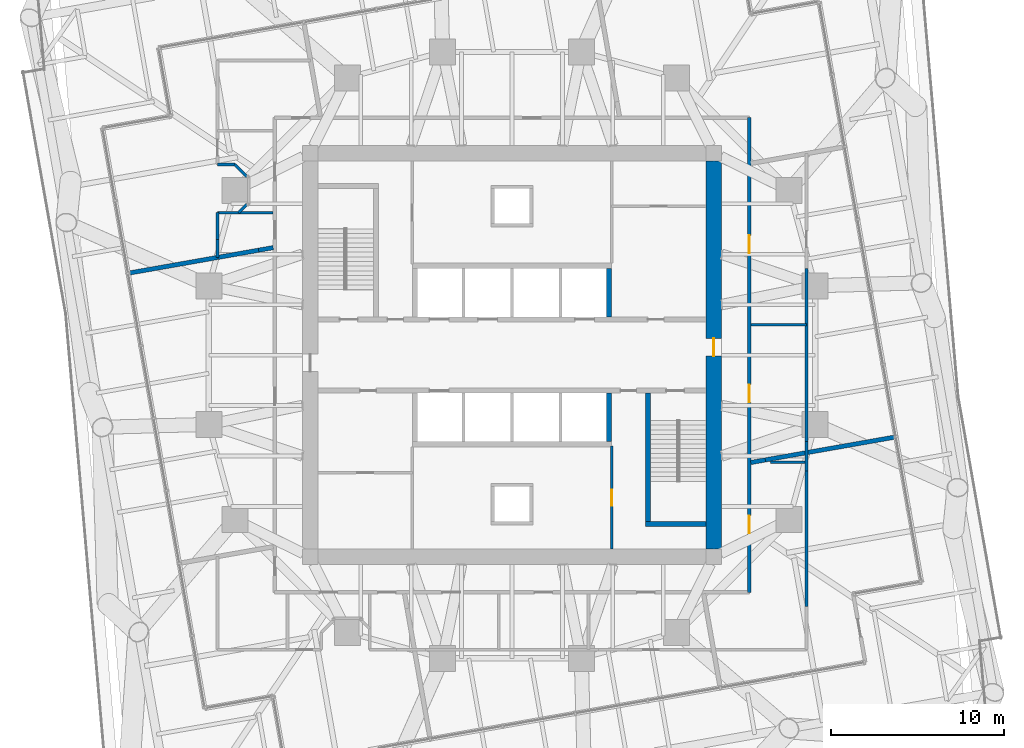
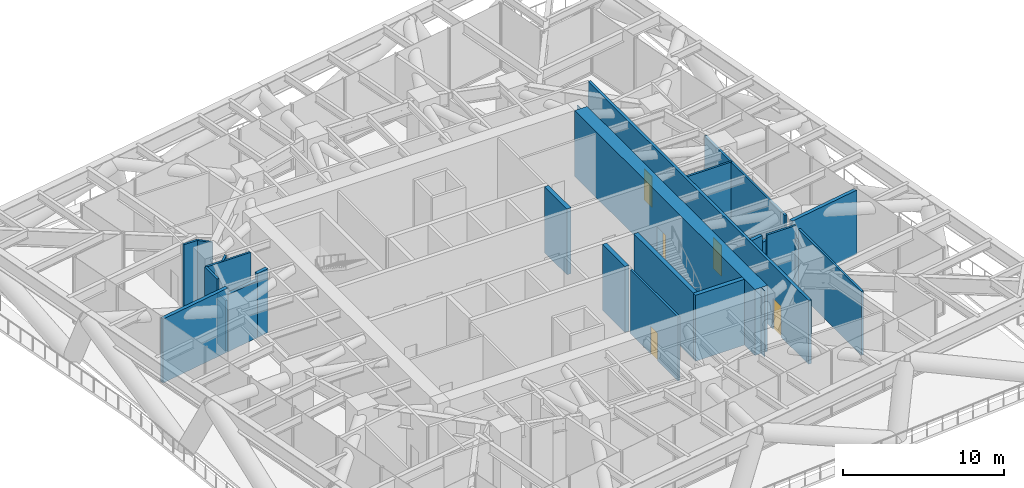
# One storey, part 11 of 15: 24 walls, 5 doors, 5 openings.
"""IFC4 building model written with IfcOpenShell, lengths in metres."""

from ifc_helpers import new_model, si_unit, direction, frame, frame_2d, origin, place, context, subcontext, project, spatial, polyline, rectangle, outline, extrude, material, layer, layer_set, type_object, element, fill, save


model = new_model("IFC4")

# Units and contexts
model_context = context("Model", 3, precision=1e-05, world=origin(), true_north=direction((0.0, 1.0)))
body_context = subcontext(model_context, "Body", "Model", "MODEL_VIEW")
ifc_project = project(units=[si_unit("LENGTHUNIT", "METRE"), si_unit("AREAUNIT", "SQUARE_METRE"), si_unit("VOLUMEUNIT", "CUBIC_METRE"), si_unit("PLANEANGLEUNIT", "RADIAN"), si_unit("MASSUNIT", "GRAM", prefix="KILO")], contexts=[model_context])

# Site, building, storey
site_placement = place(None, origin())
site = spatial("IfcSite", under=ifc_project, at=site_placement, CompositionType="ELEMENT")
building_placement = place(site_placement, origin())
building = spatial("IfcBuilding", under=site, at=building_placement, Name="Torsade Residences", CompositionType="ELEMENT")
storey_placement = place(building_placement, frame((0.0, 0.0, 74.39990234375)))
storey = spatial("IfcBuildingStorey", under=building, at=storey_placement, Name="L20", CompositionType="ELEMENT", Elevation=74.39990234375)

# Walls
ifc_material_1 = material(Name="Concrete 80 MPa", Category="concrete")
ifc_layer_1 = layer(ifc_material_1, 0.300048828125)
ifc_layer_set_1 = layer_set([ifc_layer_1], Name="Concrete 80 MPa")
wall_type_1 = type_object("IfcWallType", Name="CORE INTERNAL WALL 300", PredefinedType="SHEAR", material=ifc_layer_set_1)
for number, where, z_axis, x_axis, name in (
    (1, (45.60009765625, 27.800048828125, 0.0), (0.0, 0.0, 1.0), (0.0, -1.0, 0.0), "Core wall DS0 L20"),
    (2, (45.60009765625, 32.199951171875, 0.0), (0.0, 0.0, 1.0), (0.0, 1.0, 0.0), "Core wall DN4 L20"),
):
    element("IfcWall", number, at=place(storey_placement, frame(where, z_axis=z_axis, x_axis=x_axis)), inside=storey, type_object=wall_type_1, Name=name, PredefinedType="SHEAR", context=body_context, shape_type="SweptSolid", body=[
        extrude(rectangle(XDim=2.800048828125, YDim=0.300048828125, at=frame_2d((1.39990234375, 0.0))), origin(), (0.0, 0.0, 1.0), 5.0),
    ])
wall_1_placement = place(storey_placement, frame((47.85009765625, 27.800048828125, 0.0), z_axis=(0.0, 0.0, 1.0), x_axis=(0.0, -1.0, 0.0)))
element("IfcWall", 3, at=wall_1_placement, inside=storey, type_object=wall_type_1, Name="Core wall ST2W L20", PredefinedType="SHEAR", context=body_context, shape_type="SweptSolid", body=[
    extrude(rectangle(XDim=7.699951171875, YDim=0.300048828125, at=frame_2d((3.85009765625, 0.0))), origin(), (0.0, 0.0, 1.0), 5.0),
])
wall_2_placement = place(storey_placement, frame((51.199951171875, 20.25, 0.0), z_axis=(0.0, 0.0, 1.0), x_axis=(-1.0, 0.0, 0.0)))
element("IfcWall", 4, at=wall_2_placement, inside=storey, type_object=wall_type_1, Name="Core wall ST2S L20", PredefinedType="SHEAR", context=body_context, shape_type="SweptSolid", body=[
    extrude(rectangle(XDim=3.5, YDim=0.300048828125, at=frame_2d((1.75, 0.0))), origin(), (0.0, 0.0, 1.0), 5.0),
])

# Wall, opening, door
ifc_material_2 = material(Name="Concrete 80 MPa", Category="concrete")
ifc_layer_2 = layer(ifc_material_2, 0.89990234375)
ifc_layer_set_2 = layer_set([ifc_layer_2], Name="Concrete 80 MPa")
wall_type_2 = type_object("IfcWallType", Name="CORE WALL 900", PredefinedType="SHEAR", material=ifc_layer_set_2)
wall_3_placement = place(storey_placement, frame((51.64990234375, 18.800048828125, 0.0), z_axis=(0.0, 0.0, 1.0), x_axis=(0.0, 1.0, 0.0)))
wall_3 = element("IfcWall", 5, at=wall_3_placement, inside=storey, type_object=wall_type_2, Name="Core wall E L20", PredefinedType="SHEAR", context=body_context, shape_type="SweptSolid", body=[
    extrude(outline(polyline([(0.0, -0.449951171875), (22.39990234375, -0.449951171875), (22.39990234375, -0.02490234375), (22.849853515625, -0.02490234375), (22.849853515625, 0.02490234375), (22.39990234375, 0.02490234375), (22.39990234375, 0.449951171875), (0.0, 0.449951171875), (0.0, 0.02490234375), (-0.449951171875, 0.02490234375), (-0.449951171875, -0.02490234375), (0.0, -0.02490234375), (0.0, -0.449951171875)])), origin(), (0.0, 0.0, 1.0), 5.0),
])
opening_1_placement = place(wall_3_placement, frame((11.139892578125, 0.0, 0.0)))
opening_1 = element("IfcOpeningElement", 6, at=opening_1_placement, cuts=wall_3, Name="Opening D04", PredefinedType="OPENING", context=body_context, shape_type="SweptSolid", body=[
    extrude(rectangle(XDim=1.02001953125, YDim=2.39990234375, at=frame_2d((0.510009765625, 1.199951171875))), frame((0.0, 0.4599609375, 0.0), z_axis=(0.0, -1.0, 0.0), x_axis=(1.0, 0.0, 0.0)), (0.0, 0.0, 1.0), 0.919921875),
])
ifc_material_3 = material(Name="Steel-framed fire door", Category="steel")
door_type_1 = type_object("IfcDoorType", Name="LOBBY SMOKE DOOR 1020x2400", OperationType="NOTDEFINED", PredefinedType="DOOR", material=ifc_material_3)
door_1_placement = place(opening_1_placement, origin())
door_1 = element("IfcDoor", 7, at=door_1_placement, inside=storey, type_object=door_type_1, Name="Lift lobby door E L20", OperationType="SINGLE_SWING_LEFT", OverallHeight=2.39990234375, OverallWidth=1.02001953125, PredefinedType="DOOR", context=body_context, shape_type="SweptSolid", body=[
    extrude(rectangle(XDim=1.02001953125, YDim=2.39990234375, at=frame_2d((0.510009765625, 1.199951171875))), frame((0.0, 0.02490234375, 0.0), z_axis=(0.0, -1.0, 0.0), x_axis=(1.0, 0.0, 0.0)), (0.0, 0.0, 1.0), 0.050048828125),
])
fill(opening_1, door_1)

# Wall, openings, doors
ifc_material_4 = material(Name="Plasterboard on steel stud", Category="steel")
ifc_layer_3 = layer(ifc_material_4, 0.199951171875)
ifc_layer_set_3 = layer_set([ifc_layer_3], Name="Plasterboard on steel stud")
wall_type_3 = type_object("IfcWallType", Name="CORRIDOR WALL 200", PredefinedType="PARTITIONING", material=ifc_layer_set_3)
wall_4_placement = place(storey_placement, frame((53.699951171875, 16.300048828125, 0.0), z_axis=(0.0, 0.0, 1.0), x_axis=(0.0, 1.0, 0.0)))
wall_4 = element("IfcWall", 8, at=wall_4_placement, inside=storey, type_object=wall_type_3, Name="Corridor wall L20", PredefinedType="PARTITIONING", context=body_context, shape_type="SweptSolid", body=[
    extrude(rectangle(XDim=27.39990234375, YDim=0.199951171875, at=frame_2d((13.699951171875, 0.0))), origin(), (0.0, 0.0, 1.0), 4.85009765625),
])
opening_2_placement = place(wall_4_placement, frame((19.5869140625, 0.0, 0.0)))
opening_2 = element("IfcOpeningElement", 9, at=opening_2_placement, cuts=wall_4, Name="Opening D01", PredefinedType="OPENING", context=body_context, shape_type="SweptSolid", body=[
    extrude(rectangle(XDim=1.02001953125, YDim=2.340087890625, at=frame_2d((0.510009765625, 1.169921875))), frame((0.0, 0.10986328125, 0.0), z_axis=(0.0, -1.0, 0.0), x_axis=(1.0, 0.0, 0.0)), (0.0, 0.0, 1.0), 0.219970703125),
])
opening_3_placement = place(wall_4_placement, frame((10.972900390625, 0.0, 0.0)))
opening_3 = element("IfcOpeningElement", 10, at=opening_3_placement, cuts=wall_4, Name="Opening D01", PredefinedType="OPENING", context=body_context, shape_type="SweptSolid", body=[
    extrude(rectangle(XDim=1.02001953125, YDim=2.340087890625, at=frame_2d((0.510009765625, 1.169921875))), frame((0.0, 0.10986328125, 0.0), z_axis=(0.0, -1.0, 0.0), x_axis=(1.0, 0.0, 0.0)), (0.0, 0.0, 1.0), 0.219970703125),
])
opening_4_placement = place(wall_4_placement, frame((3.417236328125, 0.0, 0.0)))
opening_4 = element("IfcOpeningElement", 11, at=opening_4_placement, cuts=wall_4, Name="Opening D01", PredefinedType="OPENING", context=body_context, shape_type="SweptSolid", body=[
    extrude(rectangle(XDim=1.02001953125, YDim=2.340087890625, at=frame_2d((0.510009765625, 1.169921875))), frame((0.0, 0.10986328125, 0.0), z_axis=(0.0, -1.0, 0.0), x_axis=(1.0, 0.0, 0.0)), (0.0, 0.0, 1.0), 0.219970703125),
])
ifc_material_5 = material(Name="Solid-core timber fire door", Category="wood")
door_type_2 = type_object("IfcDoorType", Name="APARTMENT ENTRY DOOR 1020x2340", OperationType="NOTDEFINED", PredefinedType="DOOR", material=ifc_material_5)
door_2_placement = place(opening_2_placement, origin())
door_2 = element("IfcDoor", 12, at=door_2_placement, inside=storey, type_object=door_type_2, Name="Door Plant corridor to Plant cupboard", OperationType="SINGLE_SWING_LEFT", OverallHeight=2.340087890625, OverallWidth=1.02001953125, PredefinedType="DOOR", context=body_context, shape_type="SweptSolid", body=[
    extrude(rectangle(XDim=1.02001953125, YDim=2.340087890625, at=frame_2d((0.510009765625, 1.169921875))), frame((0.0, 0.02490234375, 0.0), z_axis=(0.0, -1.0, 0.0), x_axis=(1.0, 0.0, 0.0)), (0.0, 0.0, 1.0), 0.050048828125),
])
fill(opening_2, door_2)
door_3_placement = place(opening_3_placement, origin())
door_3 = element("IfcDoor", 13, at=door_3_placement, inside=storey, type_object=door_type_2, Name="Door Plant corridor to Store", OperationType="SINGLE_SWING_RIGHT", OverallHeight=2.340087890625, OverallWidth=1.02001953125, PredefinedType="DOOR", context=body_context, shape_type="SweptSolid", body=[
    extrude(rectangle(XDim=1.02001953125, YDim=2.340087890625, at=frame_2d((0.510009765625, 1.169921875))), frame((0.0, 0.02490234375, 0.0), z_axis=(0.0, -1.0, 0.0), x_axis=(1.0, 0.0, 0.0)), (0.0, 0.0, 1.0), 0.050048828125),
])
fill(opening_3, door_3)
door_4_placement = place(opening_4_placement, origin())
door_4 = element("IfcDoor", 14, at=door_4_placement, inside=storey, type_object=door_type_2, Name="Door Plant corridor to Service lobby", OperationType="SINGLE_SWING_LEFT", OverallHeight=2.340087890625, OverallWidth=1.02001953125, PredefinedType="DOOR", context=body_context, shape_type="SweptSolid", body=[
    extrude(rectangle(XDim=1.02001953125, YDim=2.340087890625, at=frame_2d((0.510009765625, 1.169921875))), frame((0.0, 0.02490234375, 0.0), z_axis=(0.0, -1.0, 0.0), x_axis=(1.0, 0.0, 0.0)), (0.0, 0.0, 1.0), 0.050048828125),
])
fill(opening_4, door_4)

# Walls
ifc_material_6 = material(Name="Masonry-lined stud party wall", Category="masonry")
ifc_layer_4 = layer(ifc_material_6, 0.25)
ifc_layer_set_4 = layer_set([ifc_layer_4], Name="Masonry-lined stud party wall")
wall_type_4 = type_object("IfcWallType", Name="PARTY WALL 250", PredefinedType="PARTITIONING", material=ifc_layer_set_4)
wall_5_placement = place(storey_placement, frame((62.156982421875, 25.275634765625, 0.0), z_axis=(0.0, 0.0, 1.0), x_axis=(-0.984813509266, -0.173615529166, 0.0)))
element("IfcWall", 15, at=wall_5_placement, inside=storey, type_object=wall_type_4, Name="Party wall L20", PredefinedType="PARTITIONING", context=body_context, shape_type="SweptSolid", body=[
    extrude(rectangle(XDim=5.24951171875, YDim=0.25, at=frame_2d((2.624755859375, 0.0))), origin(), (0.0, 0.0, 1.0), 4.85009765625),
])
wall_6_placement = place(storey_placement, frame((56.9873046875, 24.3642578125, 0.0), z_axis=(0.0, 0.0, 1.0), x_axis=(-0.984811193906, -0.17362866226, 0.0)))
element("IfcWall", 16, at=wall_6_placement, inside=storey, type_object=wall_type_4, Name="Party wall L20", PredefinedType="PARTITIONING", context=body_context, shape_type="SweptSolid", body=[
    extrude(rectangle(XDim=2.400146484375, YDim=0.25, at=frame_2d((1.2001953125, 0.0))), origin(), (0.0, 0.0, 1.0), 4.322021484375),
])
wall_7_placement = place(storey_placement, frame((54.62353515625, 23.947509765625, 0.0), z_axis=(0.0, 0.0, 1.0), x_axis=(-0.984789312188, -0.173752728326, 0.0)))
element("IfcWall", 17, at=wall_7_placement, inside=storey, type_object=wall_type_4, Name="Party wall L20", PredefinedType="PARTITIONING", context=body_context, shape_type="SweptSolid", body=[
    extrude(rectangle(XDim=0.854248046875, YDim=0.25, at=frame_2d((0.42724609375, 0.0))), origin(), (0.0, 0.0, 1.0), 4.85009765625),
])
wall_8_placement = place(storey_placement, frame((17.843017578125, 34.724365234375, 0.0), z_axis=(0.0, 0.0, 1.0), x_axis=(0.984813509266, 0.173615529166, 0.0)))
element("IfcWall", 18, at=wall_8_placement, inside=storey, type_object=wall_type_4, Name="Party wall L20", PredefinedType="PARTITIONING", context=body_context, shape_type="SweptSolid", body=[
    extrude(rectangle(XDim=5.24951171875, YDim=0.25, at=frame_2d((2.624755859375, 0.0))), origin(), (0.0, 0.0, 1.0), 4.85009765625),
])
wall_9_placement = place(storey_placement, frame((23.0126953125, 35.6357421875, 0.0), z_axis=(0.0, 0.0, 1.0), x_axis=(0.984811193906, 0.17362866226, 0.0)))
element("IfcWall", 19, at=wall_9_placement, inside=storey, type_object=wall_type_4, Name="Party wall L20", PredefinedType="PARTITIONING", context=body_context, shape_type="SweptSolid", body=[
    extrude(rectangle(XDim=2.400146484375, YDim=0.25, at=frame_2d((1.2001953125, 0.0))), origin(), (0.0, 0.0, 1.0), 4.322021484375),
])
wall_10_placement = place(storey_placement, frame((25.37646484375, 36.052490234375, 0.0), z_axis=(0.0, 0.0, 1.0), x_axis=(0.984789312188, 0.173752728326, 0.0)))
element("IfcWall", 20, at=wall_10_placement, inside=storey, type_object=wall_type_4, Name="Party wall L20", PredefinedType="PARTITIONING", context=body_context, shape_type="SweptSolid", body=[
    extrude(rectangle(XDim=0.854248046875, YDim=0.25, at=frame_2d((0.42724609375, 0.0))), origin(), (0.0, 0.0, 1.0), 4.85009765625),
])

# Wall, opening, door
ifc_material_7 = material(Name="Reinforced blockwork", Category="masonry")
ifc_layer_5 = layer(ifc_material_7, 0.14990234375)
ifc_layer_set_5 = layer_set([ifc_layer_5], Name="Reinforced blockwork")
wall_type_5 = type_object("IfcWallType", Name="SERVICE ROOM WALL 150", PredefinedType="SOLIDWALL", material=ifc_layer_set_5)
wall_11_placement = place(storey_placement, frame((45.75, 18.800048828125, 0.0), z_axis=(0.0, 0.0, 1.0), x_axis=(0.0, 1.0, 0.0)))
wall_11 = element("IfcWall", 21, at=wall_11_placement, inside=storey, type_object=wall_type_5, Name="Service room wall L20", PredefinedType="SOLIDWALL", context=body_context, shape_type="SweptSolid", body=[
    extrude(rectangle(XDim=5.949951171875, YDim=0.14990234375, at=frame_2d((2.97509765625, 0.0))), origin(), (0.0, 0.0, 1.0), 4.85009765625),
])
opening_5_placement = place(wall_11_placement, frame((2.514892578125, 0.0, 0.0)))
opening_5 = element("IfcOpeningElement", 22, at=opening_5_placement, cuts=wall_11, Name="Opening D06", PredefinedType="OPENING", context=body_context, shape_type="SweptSolid", body=[
    extrude(rectangle(XDim=0.919921875, YDim=2.10009765625, at=frame_2d((0.4599609375, 1.050048828125))), frame((0.0, 0.0849609375, 0.0), z_axis=(0.0, -1.0, 0.0), x_axis=(1.0, 0.0, 0.0)), (0.0, 0.0, 1.0), 0.169921875),
])
ifc_material_8 = material(Name="Steel-framed fire door", Category="steel")
door_type_3 = type_object("IfcDoorType", Name="FIRE DOOR 920", OperationType="NOTDEFINED", PredefinedType="DOOR", material=ifc_material_8)
door_5_placement = place(opening_5_placement, origin())
door_5 = element("IfcDoor", 23, at=door_5_placement, inside=storey, type_object=door_type_3, Name="Door Communications equipment store to Communications riser room", OperationType="SINGLE_SWING_RIGHT", OverallHeight=2.10009765625, OverallWidth=0.919921875, PredefinedType="DOOR", context=body_context, shape_type="SweptSolid", body=[
    extrude(rectangle(XDim=0.919921875, YDim=2.10009765625, at=frame_2d((0.4599609375, 1.050048828125))), frame((0.0, 0.02490234375, 0.0), z_axis=(0.0, -1.0, 0.0), x_axis=(1.0, 0.0, 0.0)), (0.0, 0.0, 1.0), 0.050048828125),
])
fill(opening_5, door_5)

# Walls
wall_12_placement = place(storey_placement, frame((54.908447265625, 23.8046875, 0.0), z_axis=(0.0, 0.0, 1.0), x_axis=(1.0, 0.0, 0.0)))
element("IfcWall", 24, at=wall_12_placement, inside=storey, type_object=wall_type_5, Name="Service room wall L20", PredefinedType="SOLIDWALL", context=body_context, shape_type="SweptSolid", body=[
    extrude(rectangle(XDim=2.091552734375, YDim=0.14990234375, at=frame_2d((1.0458984375, 0.0))), origin(), (0.0, 0.0, 1.0), 4.85009765625),
])
wall_13_placement = place(storey_placement, frame((57.0, 34.98828125, 0.0), z_axis=(0.0, 0.0, 1.0), x_axis=(0.0, -1.0, 0.0)))
element("IfcWall", 25, at=wall_13_placement, inside=storey, type_object=wall_type_5, Name="Service room wall L20", PredefinedType="SOLIDWALL", context=body_context, shape_type="SweptSolid", body=[
    extrude(rectangle(XDim=9.9765625, YDim=0.14990234375, at=frame_2d((4.98828125, 0.0))), origin(), (0.0, 0.0, 1.0), 4.85009765625),
])
wall_14_placement = place(storey_placement, frame((57.0, 25.01171875, 0.0), z_axis=(0.0, 0.0, 1.0), x_axis=(0.0, -1.0, 0.0)))
element("IfcWall", 26, at=wall_14_placement, inside=storey, type_object=wall_type_5, Name="Service room wall L20", PredefinedType="SOLIDWALL", context=body_context, shape_type="SweptSolid", body=[
    extrude(rectangle(XDim=1.690185546875, YDim=0.14990234375, at=frame_2d((0.84521484375, 0.0))), origin(), (0.0, 0.0, 1.0), 3.85009765625),
])
wall_15_placement = place(storey_placement, frame((57.0, 23.321533203125, 0.0), z_axis=(0.0, 0.0, 1.0), x_axis=(0.0, -1.0, 0.0)))
element("IfcWall", 27, at=wall_15_placement, inside=storey, type_object=wall_type_5, Name="Service room wall L20", PredefinedType="SOLIDWALL", context=body_context, shape_type="SweptSolid", body=[
    extrude(rectangle(XDim=7.8212890625, YDim=0.14990234375, at=frame_2d((3.91064453125, 0.0))), origin(), (0.0, 0.0, 1.0), 4.85009765625),
])
for number, where, z_axis, x_axis, name in (
    (28, (57.0, 31.760986328125, 0.0), (0.0, 0.0, 1.0), (-1.0, 0.0, 0.0), "Service room wall L20"),
    (29, (26.199951171875, 38.215087890625, 0.0), (0.0, 0.0, 1.0), (-1.0, 0.0, 0.0), "Service room wall L20"),
):
    element("IfcWall", number, at=place(storey_placement, frame(where, z_axis=z_axis, x_axis=x_axis)), inside=storey, type_object=wall_type_5, Name=name, PredefinedType="SOLIDWALL", context=body_context, shape_type="SweptSolid", body=[
        extrude(rectangle(XDim=3.199951171875, YDim=0.14990234375, at=frame_2d((1.60009765625, 0.0))), origin(), (0.0, 0.0, 1.0), 4.85009765625),
    ])
wall_16_placement = place(storey_placement, frame((24.215087890625, 38.215087890625, 0.0), z_axis=(0.0, 0.0, 1.0), x_axis=(0.707106781187, 0.707106781187, 0.0)))
element("IfcWall", 30, at=wall_16_placement, inside=storey, type_object=wall_type_5, Name="Service room wall L20", PredefinedType="SOLIDWALL", context=body_context, shape_type="SweptSolid", body=[
    extrude(rectangle(XDim=0.685791015625, YDim=0.14990234375, at=frame_2d((0.3427734375, 0.0))), origin(), (0.0, 0.0, 1.0), 4.85009765625),
])
wall_17_placement = place(storey_placement, frame((24.699951171875, 40.300048828125, 0.0), z_axis=(0.0, 0.0, 1.0), x_axis=(-0.707106781187, 0.707106781187, 0.0)))
element("IfcWall", 31, at=wall_17_placement, inside=storey, type_object=wall_type_5, Name="Service room wall L20", PredefinedType="SOLIDWALL", context=body_context, shape_type="SweptSolid", body=[
    extrude(rectangle(XDim=0.989990234375, YDim=0.14990234375, at=frame_2d((0.4951171875, 0.0))), origin(), (0.0, 0.0, 1.0), 4.85009765625),
])
wall_18_placement = place(storey_placement, frame((24.0, 41.0, 0.0), z_axis=(0.0, 0.0, 1.0), x_axis=(-1.0, 0.0, 0.0)))
element("IfcWall", 32, at=wall_18_placement, inside=storey, type_object=wall_type_5, Name="Service room wall L20", PredefinedType="SOLIDWALL", context=body_context, shape_type="SweptSolid", body=[
    extrude(rectangle(XDim=1.0, YDim=0.14990234375, at=frame_2d((0.5, 0.0))), origin(), (0.0, 0.0, 1.0), 4.85009765625),
])
wall_19_placement = place(storey_placement, frame((23.0, 35.633544921875, 0.0), z_axis=(0.0, 0.0, 1.0), x_axis=(0.0, 1.0, 0.0)))
element("IfcWall", 33, at=wall_19_placement, inside=storey, type_object=wall_type_5, Name="Service room wall L20", PredefinedType="SOLIDWALL", context=body_context, shape_type="SweptSolid", body=[
    extrude(rectangle(XDim=1.044921875, YDim=0.14990234375, at=frame_2d((0.5224609375, 0.0))), origin(), (0.0, 0.0, 1.0), 3.85009765625),
])
wall_20_placement = place(storey_placement, frame((23.0, 36.678466796875, 0.0), z_axis=(0.0, 0.0, 1.0), x_axis=(0.0, 1.0, 0.0)))
element("IfcWall", 34, at=wall_20_placement, inside=storey, type_object=wall_type_5, Name="Service room wall L20", PredefinedType="SOLIDWALL", context=body_context, shape_type="SweptSolid", body=[
    extrude(rectangle(XDim=1.53662109375, YDim=0.14990234375, at=frame_2d((0.768310546875, 0.0))), origin(), (0.0, 0.0, 1.0), 4.85009765625),
])

save(model, "model.ifc")
